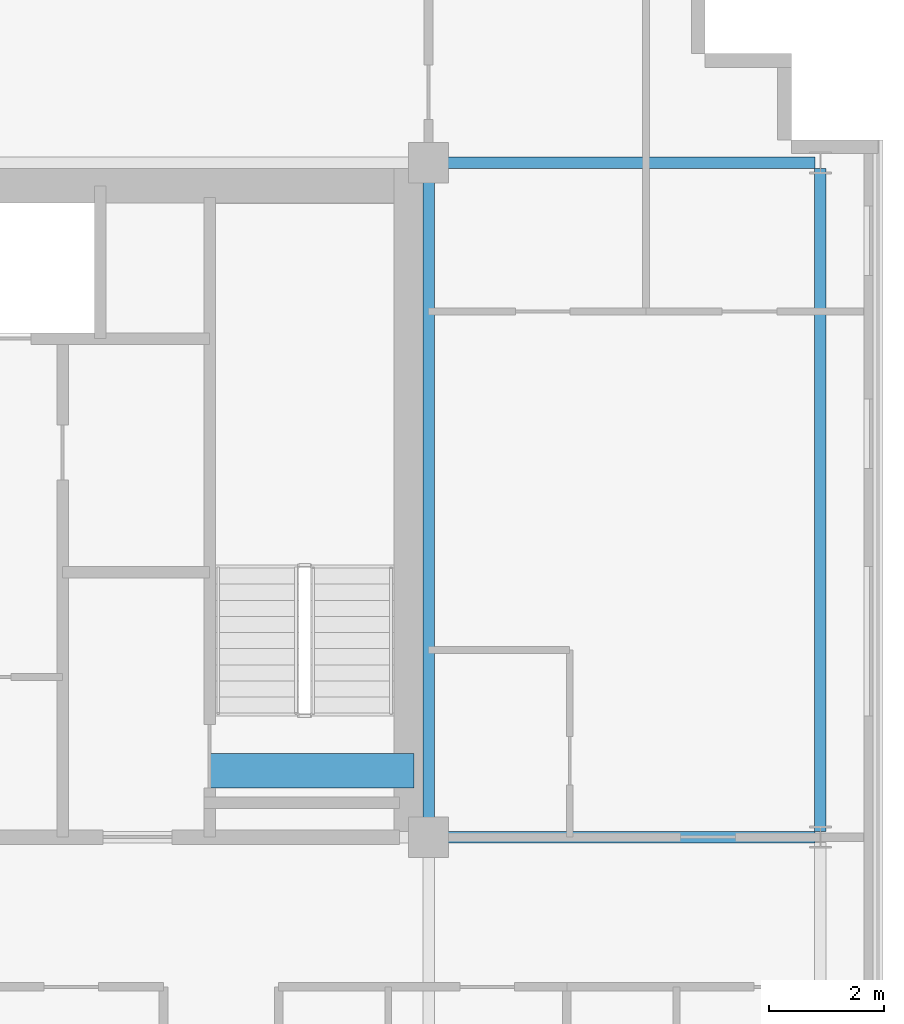
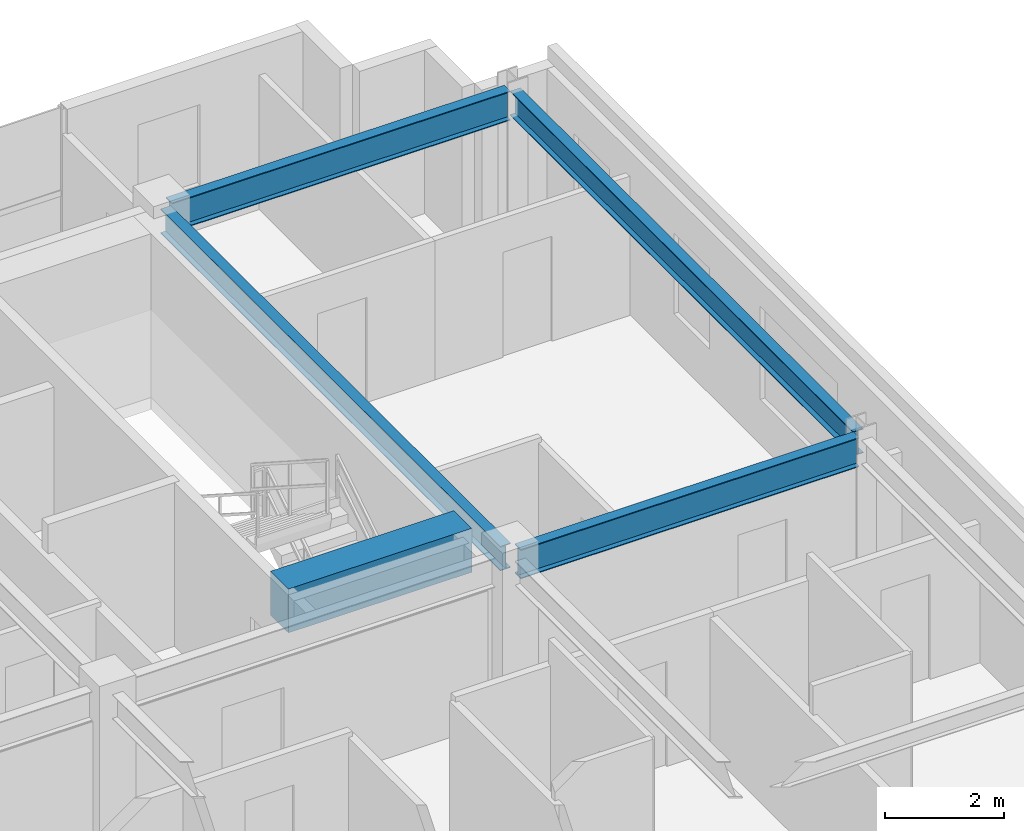
# One storey, part 11 of 22: 5 beams.
"""IFC4 building model written with IfcOpenShell, lengths in metres."""

from ifc_helpers import new_model, si_unit, direction, frame, origin, origin_2d, place, context, subcontext, project, spatial, rectangle, i_section, extrude, source, transform, mapped, material, material_profile, profile_set, type_object, element, save


model = new_model("IFC4")

# Units and contexts
model_context = context("Model", 3, precision=1e-05, world=origin(), true_north=direction((0.0, 1.0)))
body_context = subcontext(model_context, "Body", "Model", "MODEL_VIEW")
ifc_project = project(units=[si_unit("LENGTHUNIT", "METRE"), si_unit("AREAUNIT", "SQUARE_METRE"), si_unit("VOLUMEUNIT", "CUBIC_METRE"), si_unit("PLANEANGLEUNIT", "RADIAN"), si_unit("MASSUNIT", "GRAM", prefix="KILO")], contexts=[model_context])

# Site, building, storey
site_placement = place(None, origin())
site = spatial("IfcSite", under=ifc_project, at=site_placement, CompositionType="ELEMENT")
building_placement = place(site_placement, origin())
building = spatial("IfcBuilding", under=site, at=building_placement, Name="Trelvane Seafront Commons", CompositionType="ELEMENT")
storey_placement = place(building_placement, frame((0.0, 0.0, 139.300048828125)))
storey = spatial("IfcBuildingStorey", under=building, at=storey_placement, Name="L36", CompositionType="ELEMENT", Elevation=139.300048828125)

# Beams
ifc_material_1 = material(Name="Concrete C60/75", Category="concrete")
ifc_material_profile_1 = material_profile(ifc_material_1, rectangle(XDim=0.60009765625, YDim=0.89990234375, at=origin_2d()), Name="RC-600x900")
ifc_profile_set_1 = profile_set([ifc_material_profile_1], Name="Concrete C60/75")
beam_type_1 = type_object("IfcBeamType", Name="STR-LNT-RC600x900", PredefinedType="LINTEL", material=ifc_profile_set_1)
shared_shape_1 = source(origin(), body_context, "Body", "SweptSolid", [
    extrude(rectangle(XDim=0.60009765625, YDim=0.89990234375, at=origin_2d()), origin(), (0.0, 0.0, 1.0), 3.550048828125),
])
beam_1_placement = place(storey_placement, frame((55.0, 34.550048828125, 2.89990234375), z_axis=(1.0, 0.0, 0.0), x_axis=(0.0, 1.0, 0.0)))
element("IfcBeam", 1, at=beam_1_placement, inside=storey, type_object=beam_type_1, Name="L36 Core Coupling Lintel Beam CB-68", PredefinedType="LINTEL", context=body_context, shape_type="MappedRepresentation", body=[
    mapped(shared_shape_1, transform((0.0, 0.0, 0.0), x_axis=(1.0, 0.0, 0.0), y_axis=(0.0, 1.0, 0.0), z_axis=(0.0, 0.0, 1.0), scale=1.0)),
])
ifc_material_2 = material(Name="Steel SM355 (S355)", Category="steel")
ifc_material_profile_2 = material_profile(ifc_material_2, i_section(OverallWidth=0.199951171875, OverallDepth=0.5, WebThickness=0.010009765625, FlangeThickness=0.01611328125, at=origin_2d()), Name="H-500x200x10x16")
ifc_profile_set_2 = profile_set([ifc_material_profile_2], Name="Steel SM355 (S355)")
beam_type_2 = type_object("IfcBeamType", Name="STR-BM-H500", PredefinedType="BEAM", material=ifc_profile_set_2)
shared_shape_2 = source(origin(), body_context, "Body", "SweptSolid", [
    extrude(i_section(OverallWidth=0.199951171875, OverallDepth=0.5, WebThickness=0.010009765625, FlangeThickness=0.01611328125, at=origin_2d()), origin(), (0.0, 0.0, 1.0), 11.39990234375),
])
beam_2_placement = place(storey_placement, frame((58.800048828125, 33.550048828125, 3.099853515625), z_axis=(0.0, 1.0, 0.0), x_axis=(-1.0, 0.0, 0.0)))
element("IfcBeam", 2, at=beam_2_placement, inside=storey, type_object=beam_type_2, Name="L36 Primary Girder G-49", PredefinedType="BEAM", context=body_context, shape_type="MappedRepresentation", body=[
    mapped(shared_shape_2, transform((0.0, 0.0, 0.0), x_axis=(1.0, 0.0, 0.0), y_axis=(0.0, 1.0, 0.0), z_axis=(0.0, 0.0, 1.0), scale=1.0)),
])
ifc_material_profile_3 = material_profile(ifc_material_2, i_section(OverallWidth=0.199951171875, OverallDepth=0.60009765625, WebThickness=0.010986328125, FlangeThickness=0.01708984375, at=origin_2d()), Name="H-600x200x11x17")
ifc_profile_set_3 = profile_set([ifc_material_profile_3], Name="Steel SM355 (S355)")
beam_type_3 = type_object("IfcBeamType", Name="STR-SPD-H600", PredefinedType="SPANDREL", material=ifc_profile_set_3)
shared_shape_3 = source(origin(), body_context, "Body", "SweptSolid", [
    extrude(i_section(OverallWidth=0.199951171875, OverallDepth=0.60009765625, WebThickness=0.010986328125, FlangeThickness=0.01708984375, at=origin_2d()), origin(), (0.0, 0.0, 1.0), 6.554931640625),
])
for number, where, z_axis, x_axis, name in (
    (3, (58.949951171875, 33.39990234375, 3.050048828125), (1.0, 0.0, 0.0), (0.0, 1.0, 0.0), "L36 Primary Girder G-21"),
    (4, (58.949951171875, 45.10009765625, 3.050048828125), (1.0, 0.0, 0.0), (0.0, 1.0, 0.0), "L36 Primary Girder G-28"),
):
    element("IfcBeam", number, at=place(storey_placement, frame(where, z_axis=z_axis, x_axis=x_axis)), inside=storey, type_object=beam_type_3, Name=name, PredefinedType="SPANDREL", context=body_context, shape_type="MappedRepresentation", body=[
        mapped(shared_shape_3, transform((0.0, 0.0, 0.0), x_axis=(1.0, 0.0, 0.0), y_axis=(0.0, 1.0, 0.0), z_axis=(0.0, 0.0, 1.0), scale=1.0)),
    ])
shared_shape_4 = source(origin(), body_context, "Body", "SweptSolid", [
    extrude(i_section(OverallWidth=0.199951171875, OverallDepth=0.5, WebThickness=0.010009765625, FlangeThickness=0.01611328125, at=origin_2d()), origin(), (0.0, 0.0, 1.0), 11.509765625),
])
beam_3_placement = place(storey_placement, frame((65.60009765625, 33.4951171875, 3.099853515625), z_axis=(0.0, 1.0, 0.0), x_axis=(-1.0, 0.0, 0.0)))
element("IfcBeam", 5, at=beam_3_placement, inside=storey, type_object=beam_type_2, Name="L36 Primary Girder G-52", PredefinedType="BEAM", context=body_context, shape_type="MappedRepresentation", body=[
    mapped(shared_shape_4, transform((0.0, 0.0, 0.0), x_axis=(1.0, 0.0, 0.0), y_axis=(0.0, 1.0, 0.0), z_axis=(0.0, 0.0, 1.0), scale=1.0)),
])

save(model, "model.ifc")
